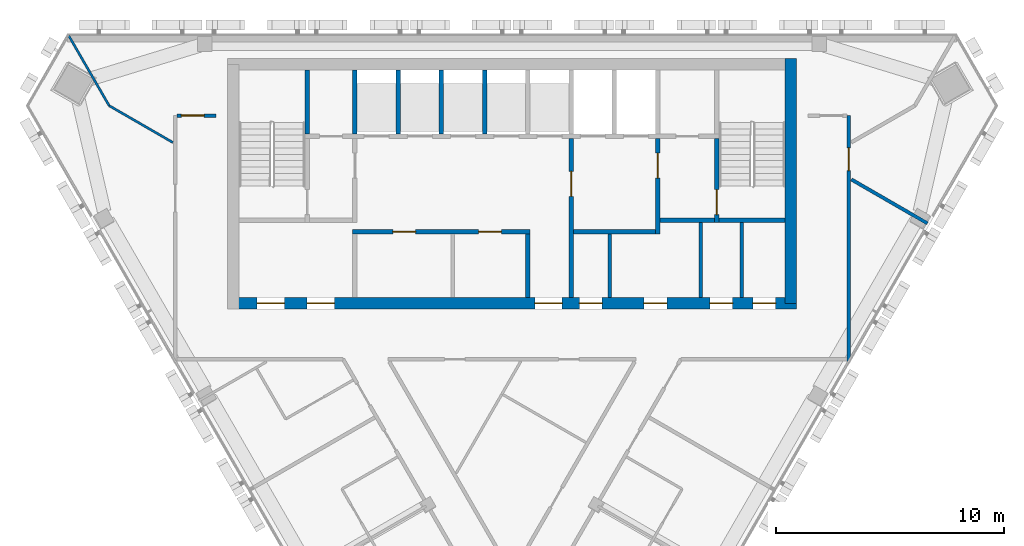
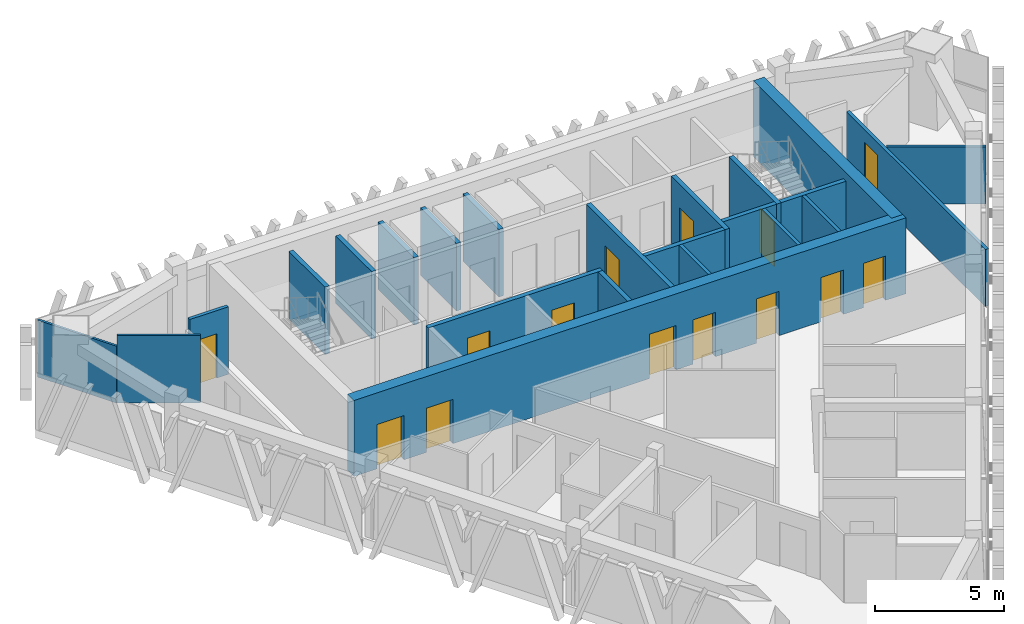
# One storey, part 7 of 12: 23 walls, 14 doors, 14 openings.
"""IFC4 building model written with IfcOpenShell, lengths in metres."""

from ifc_helpers import new_model, si_unit, direction, frame, frame_2d, origin, place, context, subcontext, project, spatial, rectangle, extrude, material, layer, layer_set, type_object, element, fill, save


model = new_model("IFC4")

# Units and contexts
model_context = context("Model", 3, precision=1e-05, world=origin(), true_north=direction((0.0, 1.0)))
body_context = subcontext(model_context, "Body", "Model", "MODEL_VIEW")
ifc_project = project(units=[si_unit("LENGTHUNIT", "METRE"), si_unit("AREAUNIT", "SQUARE_METRE"), si_unit("VOLUMEUNIT", "CUBIC_METRE"), si_unit("PLANEANGLEUNIT", "RADIAN"), si_unit("MASSUNIT", "GRAM", prefix="KILO")], contexts=[model_context])

# Site, building, storey
site_placement = place(None, origin())
site = spatial("IfcSite", under=ifc_project, at=site_placement, CompositionType="ELEMENT")
building_placement = place(site_placement, origin())
building = spatial("IfcBuilding", under=site, at=building_placement, Name="Altiplano Prism Tower", CompositionType="ELEMENT")
storey_placement = place(building_placement, frame((0.0, 0.0, 323.800048828125)))
storey = spatial("IfcBuildingStorey", under=building, at=storey_placement, Name="L84", CompositionType="ELEMENT", Elevation=323.800048828125)

# Wall, openings, doors
ifc_material_1 = material(Name="Concrete C60/75", Category="concrete")
ifc_layer_1 = layer(ifc_material_1, 0.5)
ifc_layer_set_1 = layer_set([ifc_layer_1], Name="Concrete C60/75")
wall_type_1 = type_object("IfcWallType", Name="Core wall 500", PredefinedType="SHEAR", material=ifc_layer_set_1)
wall_1_placement = place(storey_placement, frame((72.75, 93.14990234375, 0.0), z_axis=(0.0, 0.0, 1.0), x_axis=(1.0, 0.0, 0.0)))
wall_1 = element("IfcWall", 1, at=wall_1_placement, inside=storey, type_object=wall_type_1, Name="Core wall S L84", PredefinedType="SHEAR", context=body_context, shape_type="SweptSolid", body=[
    extrude(rectangle(XDim=24.75, YDim=0.5, at=frame_2d((12.375, 0.0))), origin(), (0.0, 0.0, 1.0), 3.599853515625),
])
opening_1_placement = place(wall_1_placement, frame((1.050048828125, 0.0, 0.0)))
opening_1 = element("IfcOpeningElement", 2, at=opening_1_placement, cuts=wall_1, Name="Opening D3773", PredefinedType="OPENING", context=body_context, shape_type="SweptSolid", body=[
    extrude(rectangle(XDim=1.199951171875, YDim=2.10009765625, at=frame_2d((0.60009765625, 1.050048828125))), frame((0.0, 0.260498046875, 0.0), z_axis=(0.0, -1.0, 0.0), x_axis=(1.0, 0.0, 0.0)), (0.0, 0.0, 1.0), 0.52099609375),
])
opening_2_placement = place(wall_1_placement, frame((3.25, 0.0, 0.0)))
opening_2 = element("IfcOpeningElement", 3, at=opening_2_placement, cuts=wall_1, Name="Opening D3774", PredefinedType="OPENING", context=body_context, shape_type="SweptSolid", body=[
    extrude(rectangle(XDim=1.199951171875, YDim=2.10009765625, at=frame_2d((0.60009765625, 1.050048828125))), frame((0.0, 0.260498046875, 0.0), z_axis=(0.0, -1.0, 0.0), x_axis=(1.0, 0.0, 0.0)), (0.0, 0.0, 1.0), 0.52099609375),
])
opening_3_placement = place(wall_1_placement, frame((13.25, 0.0, 0.0)))
opening_3 = element("IfcOpeningElement", 4, at=opening_3_placement, cuts=wall_1, Name="Opening D3775", PredefinedType="OPENING", context=body_context, shape_type="SweptSolid", body=[
    extrude(rectangle(XDim=1.199951171875, YDim=2.10009765625, at=frame_2d((0.60009765625, 1.050048828125))), frame((0.0, 0.260498046875, 0.0), z_axis=(0.0, -1.0, 0.0), x_axis=(1.0, 0.0, 0.0)), (0.0, 0.0, 1.0), 0.52099609375),
])
opening_4_placement = place(wall_1_placement, frame((15.21240234375, 0.0, 0.0)))
opening_4 = element("IfcOpeningElement", 5, at=opening_4_placement, cuts=wall_1, Name="Opening D3778", PredefinedType="OPENING", context=body_context, shape_type="SweptSolid", body=[
    extrude(rectangle(XDim=1.0, YDim=2.10009765625, at=frame_2d((0.5, 1.050048828125))), frame((0.0, 0.260498046875, 0.0), z_axis=(0.0, -1.0, 0.0), x_axis=(1.0, 0.0, 0.0)), (0.0, 0.0, 1.0), 0.52099609375),
])
opening_5_placement = place(wall_1_placement, frame((18.050048828125, 0.0, 0.0)))
opening_5 = element("IfcOpeningElement", 6, at=opening_5_placement, cuts=wall_1, Name="Opening D3779", PredefinedType="OPENING", context=body_context, shape_type="SweptSolid", body=[
    extrude(rectangle(XDim=1.0, YDim=2.10009765625, at=frame_2d((0.5, 1.050048828125))), frame((0.0, 0.260498046875, 0.0), z_axis=(0.0, -1.0, 0.0), x_axis=(1.0, 0.0, 0.0)), (0.0, 0.0, 1.0), 0.52099609375),
])
opening_6_placement = place(wall_1_placement, frame((20.949951171875, 0.0, 0.0)))
opening_6 = element("IfcOpeningElement", 7, at=opening_6_placement, cuts=wall_1, Name="Opening D3780", PredefinedType="OPENING", context=body_context, shape_type="SweptSolid", body=[
    extrude(rectangle(XDim=1.0, YDim=2.10009765625, at=frame_2d((0.5, 1.050048828125))), frame((0.0, 0.260498046875, 0.0), z_axis=(0.0, -1.0, 0.0), x_axis=(1.0, 0.0, 0.0)), (0.0, 0.0, 1.0), 0.52099609375),
])
opening_7_placement = place(wall_1_placement, frame((22.83740234375, 0.0, 0.0)))
opening_7 = element("IfcOpeningElement", 8, at=opening_7_placement, cuts=wall_1, Name="Opening D3781", PredefinedType="OPENING", context=body_context, shape_type="SweptSolid", body=[
    extrude(rectangle(XDim=1.0, YDim=2.10009765625, at=frame_2d((0.5, 1.050048828125))), frame((0.0, 0.260498046875, 0.0), z_axis=(0.0, -1.0, 0.0), x_axis=(1.0, 0.0, 0.0)), (0.0, 0.0, 1.0), 0.52099609375),
])
ifc_material_2 = material(Name="Fire-rated steel door", Category="steel")
door_type_1 = type_object("IfcDoorType", Name="Core room door 1000 x 2100", OperationType="NOTDEFINED", PredefinedType="NOTDEFINED", material=ifc_material_2)
door_1_placement = place(opening_4_placement, origin())
door_1 = element("IfcDoor", 9, at=door_1_placement, inside=storey, type_object=door_type_1, Name="Core room door D3778", OperationType="SINGLE_SWING_RIGHT", OverallHeight=2.10009765625, OverallWidth=1.0, PredefinedType="NOTDEFINED", context=body_context, shape_type="SweptSolid", body=[
    extrude(rectangle(XDim=1.0, YDim=2.10009765625, at=frame_2d((0.5, 1.050048828125))), frame((0.0, 0.02490234375, 0.0), z_axis=(0.0, -1.0, 0.0), x_axis=(1.0, 0.0, 0.0)), (0.0, 0.0, 1.0), 0.050048828125),
])
fill(opening_4, door_1)
door_2_placement = place(opening_5_placement, origin())
door_2 = element("IfcDoor", 10, at=door_2_placement, inside=storey, type_object=door_type_1, Name="Core room door D3779", OperationType="SINGLE_SWING_LEFT", OverallHeight=2.10009765625, OverallWidth=1.0, PredefinedType="NOTDEFINED", context=body_context, shape_type="SweptSolid", body=[
    extrude(rectangle(XDim=1.0, YDim=2.10009765625, at=frame_2d((0.5, 1.050048828125))), frame((0.0, 0.02490234375, 0.0), z_axis=(0.0, -1.0, 0.0), x_axis=(1.0, 0.0, 0.0)), (0.0, 0.0, 1.0), 0.050048828125),
])
fill(opening_5, door_2)
door_3_placement = place(opening_6_placement, origin())
door_3 = element("IfcDoor", 11, at=door_3_placement, inside=storey, type_object=door_type_1, Name="Core room door D3780", OperationType="SINGLE_SWING_RIGHT", OverallHeight=2.10009765625, OverallWidth=1.0, PredefinedType="NOTDEFINED", context=body_context, shape_type="SweptSolid", body=[
    extrude(rectangle(XDim=1.0, YDim=2.10009765625, at=frame_2d((0.5, 1.050048828125))), frame((0.0, 0.02490234375, 0.0), z_axis=(0.0, -1.0, 0.0), x_axis=(1.0, 0.0, 0.0)), (0.0, 0.0, 1.0), 0.050048828125),
])
fill(opening_6, door_3)
door_4_placement = place(opening_7_placement, origin())
door_4 = element("IfcDoor", 12, at=door_4_placement, inside=storey, type_object=door_type_1, Name="Core room door D3781", OperationType="SINGLE_SWING_LEFT", OverallHeight=2.10009765625, OverallWidth=1.0, PredefinedType="NOTDEFINED", context=body_context, shape_type="SweptSolid", body=[
    extrude(rectangle(XDim=1.0, YDim=2.10009765625, at=frame_2d((0.5, 1.050048828125))), frame((0.0, 0.02490234375, 0.0), z_axis=(0.0, -1.0, 0.0), x_axis=(1.0, 0.0, 0.0)), (0.0, 0.0, 1.0), 0.050048828125),
])
fill(opening_7, door_4)
door_type_2 = type_object("IfcDoorType", Name="Lobby fire door 1200 x 2100", OperationType="NOTDEFINED", PredefinedType="NOTDEFINED", material=ifc_material_2)
door_5_placement = place(opening_1_placement, origin())
door_5 = element("IfcDoor", 13, at=door_5_placement, inside=storey, type_object=door_type_2, Name="Lobby fire door D3773", OperationType="SINGLE_SWING_RIGHT", OverallHeight=2.10009765625, OverallWidth=1.199951171875, PredefinedType="NOTDEFINED", context=body_context, shape_type="SweptSolid", body=[
    extrude(rectangle(XDim=1.199951171875, YDim=2.10009765625, at=frame_2d((0.60009765625, 1.050048828125))), frame((0.0, 0.02490234375, 0.0), z_axis=(0.0, -1.0, 0.0), x_axis=(1.0, 0.0, 0.0)), (0.0, 0.0, 1.0), 0.050048828125),
])
fill(opening_1, door_5)
door_6_placement = place(opening_2_placement, origin())
door_6 = element("IfcDoor", 14, at=door_6_placement, inside=storey, type_object=door_type_2, Name="Lobby fire door D3774", OperationType="SINGLE_SWING_LEFT", OverallHeight=2.10009765625, OverallWidth=1.199951171875, PredefinedType="NOTDEFINED", context=body_context, shape_type="SweptSolid", body=[
    extrude(rectangle(XDim=1.199951171875, YDim=2.10009765625, at=frame_2d((0.60009765625, 1.050048828125))), frame((0.0, 0.02490234375, 0.0), z_axis=(0.0, -1.0, 0.0), x_axis=(1.0, 0.0, 0.0)), (0.0, 0.0, 1.0), 0.050048828125),
])
fill(opening_2, door_6)
door_7_placement = place(opening_3_placement, origin())
door_7 = element("IfcDoor", 15, at=door_7_placement, inside=storey, type_object=door_type_2, Name="Lobby fire door D3775", OperationType="SINGLE_SWING_RIGHT", OverallHeight=2.10009765625, OverallWidth=1.199951171875, PredefinedType="NOTDEFINED", context=body_context, shape_type="SweptSolid", body=[
    extrude(rectangle(XDim=1.199951171875, YDim=2.10009765625, at=frame_2d((0.60009765625, 1.050048828125))), frame((0.0, 0.02490234375, 0.0), z_axis=(0.0, -1.0, 0.0), x_axis=(1.0, 0.0, 0.0)), (0.0, 0.0, 1.0), 0.050048828125),
])
fill(opening_3, door_7)

# Walls
wall_2_placement = place(storey_placement, frame((97.25, 93.14990234375, 0.0), z_axis=(0.0, 0.0, 1.0), x_axis=(0.0, 1.0, 0.0)))
element("IfcWall", 16, at=wall_2_placement, inside=storey, type_object=wall_type_1, Name="Core wall E L84", PredefinedType="SHEAR", context=body_context, shape_type="SweptSolid", body=[
    extrude(rectangle(XDim=10.75, YDim=0.5, at=frame_2d((5.375, 0.0))), origin(), (0.0, 0.0, 1.0), 3.599853515625),
])
ifc_material_3 = material(Name="Plasterboard on steel stud", Category="steel")
ifc_layer_2 = layer(ifc_material_3, 0.10009765625)
ifc_layer_set_2 = layer_set([ifc_layer_2], Name="Plasterboard on steel stud")
wall_type_2 = type_object("IfcWallType", Name="Partition 100 wet", PredefinedType="PARTITIONING", material=ifc_layer_set_2)
wall_3_placement = place(storey_placement, frame((70.099609375, 100.2177734375, 0.0), z_axis=(0.0, 0.0, 1.0), x_axis=(-0.866033540873, 0.499985905884, 0.0)))
element("IfcWall", 17, at=wall_3_placement, inside=storey, type_object=wall_type_2, Name="Partition P03 L84 016", PredefinedType="PARTITIONING", context=body_context, shape_type="SweptSolid", body=[
    extrude(rectangle(XDim=3.2353515625, YDim=0.10009765625, at=frame_2d((1.61767578125, 0.0))), origin(), (0.0, 0.0, 1.0), 3.199951171875),
])
wall_4_placement = place(storey_placement, frame((67.297607421875, 101.83544921875, 0.0), z_axis=(0.0, 0.0, 1.0), x_axis=(-0.500005144645, 0.866022433502, 0.0)))
element("IfcWall", 18, at=wall_4_placement, inside=storey, type_object=wall_type_2, Name="Partition P03 L84 017", PredefinedType="PARTITIONING", context=body_context, shape_type="SweptSolid", body=[
    extrude(rectangle(XDim=3.53857421875, YDim=0.10009765625, at=frame_2d((1.769287109375, 0.0))), origin(), (0.0, 0.0, 1.0), 2.699951171875),
])

# Wall, opening, door
ifc_layer_3 = layer(ifc_material_3, 0.14990234375)
ifc_layer_set_3 = layer_set([ifc_layer_3], Name="Plasterboard on steel stud")
wall_type_3 = type_object("IfcWallType", Name="Partition 150 corridor", PredefinedType="PARTITIONING", material=ifc_layer_set_3)
wall_5_placement = place(storey_placement, frame((99.800048828125, 90.59912109375, 0.0), z_axis=(0.0, 0.0, 1.0), x_axis=(4.5203869e-05, 0.999999998978, 0.0)))
wall_5 = element("IfcWall", 19, at=wall_5_placement, inside=storey, type_object=wall_type_3, Name="Partition P06 L84 009", PredefinedType="PARTITIONING", context=body_context, shape_type="SweptSolid", body=[
    extrude(rectangle(XDim=10.8017578125, YDim=0.14990234375, at=frame_2d((5.40087890625, 0.0))), origin(), (0.0, 0.0, 1.0), 2.699951171875),
])
opening_8_placement = place(wall_5_placement, frame((8.376953125, 0.0, 0.0)))
opening_8 = element("IfcOpeningElement", 20, at=opening_8_placement, cuts=wall_5, Name="Opening D2458", PredefinedType="OPENING", context=body_context, shape_type="SweptSolid", body=[
    extrude(rectangle(XDim=1.0, YDim=2.10009765625, at=frame_2d((0.5, 1.050048828125))), frame((0.0, 0.08544921875, 0.0), z_axis=(0.0, -1.0, 0.0), x_axis=(1.0, 0.0, 0.0)), (0.0, 0.0, 1.0), 0.1708984375),
])
ifc_material_4 = material(Name="Timber", Category="wood")
door_type_3 = type_object("IfcDoorType", Name="Room door 1000 x 2100", OperationType="NOTDEFINED", PredefinedType="NOTDEFINED", material=ifc_material_4)
door_8_placement = place(opening_8_placement, origin())
door_8 = element("IfcDoor", 21, at=door_8_placement, inside=storey, type_object=door_type_3, Name="Door D2458", OperationType="SINGLE_SWING_RIGHT", OverallHeight=2.10009765625, OverallWidth=1.0, PredefinedType="NOTDEFINED", context=body_context, shape_type="SweptSolid", body=[
    extrude(rectangle(XDim=1.0, YDim=2.10009765625, at=frame_2d((0.5, 1.050048828125))), frame((0.0, 0.02490234375, 0.0), z_axis=(0.0, -1.0, 0.0), x_axis=(1.0, 0.0, 0.0)), (0.0, 0.0, 1.0), 0.050048828125),
])
fill(opening_8, door_8)

wall_6_placement = place(storey_placement, frame((72.0, 101.40087890625, 0.0), z_axis=(0.0, 0.0, 1.0), x_axis=(-1.0, 0.0, 0.0)))
wall_6 = element("IfcWall", 22, at=wall_6_placement, inside=storey, type_object=wall_type_3, Name="Partition P06 L84 011", PredefinedType="PARTITIONING", context=body_context, shape_type="SweptSolid", body=[
    extrude(rectangle(XDim=1.7255859375, YDim=0.14990234375, at=frame_2d((0.86279296875, 0.0))), origin(), (0.0, 0.0, 1.0), 3.199951171875),
])
opening_9_placement = place(wall_6_placement, frame((0.52587890625, 0.0, 0.0)))
opening_9 = element("IfcOpeningElement", 23, at=opening_9_placement, cuts=wall_6, Name="Opening D2460", PredefinedType="OPENING", context=body_context, shape_type="SweptSolid", body=[
    extrude(rectangle(XDim=1.0, YDim=2.10009765625, at=frame_2d((0.5, 1.050048828125))), frame((0.0, 0.08544921875, 0.0), z_axis=(0.0, -1.0, 0.0), x_axis=(1.0, 0.0, 0.0)), (0.0, 0.0, 1.0), 0.1708984375),
])
door_9_placement = place(opening_9_placement, origin())
door_9 = element("IfcDoor", 24, at=door_9_placement, inside=storey, type_object=door_type_3, Name="Door D2460", OperationType="SINGLE_SWING_RIGHT", OverallHeight=2.10009765625, OverallWidth=1.0, PredefinedType="NOTDEFINED", context=body_context, shape_type="SweptSolid", body=[
    extrude(rectangle(XDim=1.0, YDim=2.10009765625, at=frame_2d((0.5, 1.050048828125))), frame((0.0, 0.02490234375, 0.0), z_axis=(0.0, -1.0, 0.0), x_axis=(1.0, 0.0, 0.0)), (0.0, 0.0, 1.0), 0.050048828125),
])
fill(opening_9, door_9)

# Walls
ifc_layer_4 = layer(ifc_material_3, 0.14990234375)
ifc_layer_set_4 = layer_set([ifc_layer_4], Name="Plasterboard on steel stud")
wall_type_4 = type_object("IfcWallType", Name="Partition 150 party", PredefinedType="PARTITIONING", material=ifc_layer_set_4)
wall_7_placement = place(storey_placement, frame((103.255126953125, 96.663818359375, 0.0), z_axis=(0.0, 0.0, 1.0), x_axis=(-0.866023354436, 0.500003549559, 0.0)))
element("IfcWall", 25, at=wall_7_placement, inside=storey, type_object=wall_type_4, Name="Partition P01 L84 039", PredefinedType="PARTITIONING", context=body_context, shape_type="SweptSolid", body=[
    extrude(rectangle(XDim=3.859375, YDim=0.14990234375, at=frame_2d((1.9296875, 0.0))), origin(), (0.0, 0.0, 1.0), 2.699951171875),
])
ifc_material_5 = material(Name="Fire-rated gypsum board partition")
ifc_layer_5 = layer(ifc_material_5, 0.14990234375)
ifc_layer_set_5 = layer_set([ifc_layer_5], Name="Fire-rated gypsum board partition")
wall_type_5 = type_object("IfcWallType", Name="Room partition 150", PredefinedType="PARTITIONING", material=ifc_layer_set_5)
wall_8_placement = place(storey_placement, frame((89.300048828125, 93.39990234375, 0.0), z_axis=(0.0, 0.0, 1.0), x_axis=(0.0, 1.0, 0.0)))
element("IfcWall", 26, at=wall_8_placement, inside=storey, type_object=wall_type_5, Name="Room partition L84", PredefinedType="PARTITIONING", context=body_context, shape_type="SweptSolid", body=[
    extrude(rectangle(XDim=2.800048828125, YDim=0.14990234375, at=frame_2d((1.39990234375, 0.0))), origin(), (0.0, 0.0, 1.0), 3.199951171875),
])
for number, where, z_axis, x_axis, name in (
    (27, (93.300048828125, 93.39990234375, 0.0), (0.0, 0.0, 1.0), (0.0, 1.0, 0.0), "Room partition L84"),
    (28, (95.10009765625, 93.39990234375, 0.0), (0.0, 0.0, 1.0), (0.0, 1.0, 0.0), "Room partition L84"),
):
    element("IfcWall", number, at=place(storey_placement, frame(where, z_axis=z_axis, x_axis=x_axis)), inside=storey, type_object=wall_type_5, Name=name, PredefinedType="PARTITIONING", context=body_context, shape_type="SweptSolid", body=[
        extrude(rectangle(XDim=3.300048828125, YDim=0.14990234375, at=frame_2d((1.64990234375, 0.0))), origin(), (0.0, 0.0, 1.0), 3.199951171875),
    ])
ifc_layer_6 = layer(ifc_material_1, 0.199951171875)
ifc_layer_set_6 = layer_set([ifc_layer_6], Name="Concrete C60/75")
wall_type_6 = type_object("IfcWallType", Name="Shaft wall 200", PredefinedType="SOLIDWALL", material=ifc_layer_set_6)
for number, where, z_axis, x_axis, name in (
    (29, (78.10009765625, 100.60009765625, 0.0), (0.0, 0.0, 1.0), (0.0, 1.0, 0.0), "Shaft wall L84"),
    (30, (80.0, 100.60009765625, 0.0), (0.0, 0.0, 1.0), (0.0, 1.0, 0.0), "Shaft wall L84"),
    (31, (81.89990234375, 100.60009765625, 0.0), (0.0, 0.0, 1.0), (0.0, 1.0, 0.0), "Shaft wall L84"),
    (32, (83.800048828125, 100.60009765625, 0.0), (0.0, 0.0, 1.0), (0.0, 1.0, 0.0), "Shaft wall L84"),
):
    element("IfcWall", number, at=place(storey_placement, frame(where, z_axis=z_axis, x_axis=x_axis)), inside=storey, type_object=wall_type_6, Name=name, PredefinedType="SOLIDWALL", context=body_context, shape_type="SweptSolid", body=[
        extrude(rectangle(XDim=2.7998046875, YDim=0.199951171875, at=frame_2d((1.39990234375, 0.0))), origin(), (0.0, 0.0, 1.0), 3.199951171875),
    ])

# Wall, opening, door
ifc_layer_7 = layer(ifc_material_1, 0.199951171875)
ifc_layer_set_7 = layer_set([ifc_layer_7], Name="Concrete C60/75")
wall_type_7 = type_object("IfcWallType", Name="Stair wall 200", PredefinedType="SOLIDWALL", material=ifc_layer_set_7)
wall_9_placement = place(storey_placement, frame((94.0, 96.699951171875, 0.0), z_axis=(0.0, 0.0, 1.0), x_axis=(0.0, 1.0, 0.0)))
wall_9 = element("IfcWall", 33, at=wall_9_placement, inside=storey, type_object=wall_type_7, Name="Stair wall L84", PredefinedType="SOLIDWALL", context=body_context, shape_type="SweptSolid", body=[
    extrude(rectangle(XDim=3.699951171875, YDim=0.199951171875, at=frame_2d((1.85009765625, 0.0))), origin(), (0.0, 0.0, 1.0), 3.199951171875),
])
opening_10_placement = place(wall_9_placement, frame((0.35009765625, 0.0, 0.0)))
opening_10 = element("IfcOpeningElement", 34, at=opening_10_placement, cuts=wall_9, Name="Opening D3769", PredefinedType="OPENING", context=body_context, shape_type="SweptSolid", body=[
    extrude(rectangle(XDim=1.10009765625, YDim=2.10009765625, at=frame_2d((0.550048828125, 1.050048828125))), frame((0.0, 0.1103515625, 0.0), z_axis=(0.0, -1.0, 0.0), x_axis=(1.0, 0.0, 0.0)), (0.0, 0.0, 1.0), 0.220947265625),
])
door_type_4 = type_object("IfcDoorType", Name="Stair fire door 1100 x 2100", OperationType="NOTDEFINED", PredefinedType="NOTDEFINED", material=ifc_material_2)
door_10_placement = place(opening_10_placement, origin())
door_10 = element("IfcDoor", 35, at=door_10_placement, inside=storey, type_object=door_type_4, Name="Stair fire door D3769", OperationType="SINGLE_SWING_LEFT", OverallHeight=2.10009765625, OverallWidth=1.10009765625, PredefinedType="NOTDEFINED", context=body_context, shape_type="SweptSolid", body=[
    extrude(rectangle(XDim=1.10009765625, YDim=2.10009765625, at=frame_2d((0.550048828125, 1.050048828125))), frame((0.0, 0.02490234375, 0.0), z_axis=(0.0, -1.0, 0.0), x_axis=(1.0, 0.0, 0.0)), (0.0, 0.0, 1.0), 0.050048828125),
])
fill(opening_10, door_10)

# Walls
wall_10_placement = place(storey_placement, frame((94.10009765625, 96.800048828125, 0.0), z_axis=(0.0, 0.0, 1.0), x_axis=(1.0, 0.0, 0.0)))
element("IfcWall", 36, at=wall_10_placement, inside=storey, type_object=wall_type_7, Name="Stair wall L84", PredefinedType="SOLIDWALL", context=body_context, shape_type="SweptSolid", body=[
    extrude(rectangle(XDim=2.89990234375, YDim=0.199951171875, at=frame_2d((1.449951171875, 0.0))), origin(), (0.0, 0.0, 1.0), 3.199951171875),
])
wall_11_placement = place(storey_placement, frame((76.0, 100.60009765625, 0.0), z_axis=(0.0, 0.0, 1.0), x_axis=(0.0, 1.0, 0.0)))
element("IfcWall", 37, at=wall_11_placement, inside=storey, type_object=wall_type_7, Name="Stair wall L84", PredefinedType="SOLIDWALL", context=body_context, shape_type="SweptSolid", body=[
    extrude(rectangle(XDim=2.7998046875, YDim=0.199951171875, at=frame_2d((1.39990234375, 0.0))), origin(), (0.0, 0.0, 1.0), 3.199951171875),
])
ifc_layer_8 = layer(ifc_material_1, 0.199951171875)
ifc_layer_set_8 = layer_set([ifc_layer_8], Name="Concrete C60/75")
wall_type_8 = type_object("IfcWallType", Name="Vestibule wall 200", PredefinedType="PARTITIONING", material=ifc_layer_set_8)
wall_12_placement = place(storey_placement, frame((85.699951171875, 93.39990234375, 0.0), z_axis=(0.0, 0.0, 1.0), x_axis=(0.0, 1.0, 0.0)))
element("IfcWall", 38, at=wall_12_placement, inside=storey, type_object=wall_type_8, Name="Vestibule wall L84", PredefinedType="PARTITIONING", context=body_context, shape_type="SweptSolid", body=[
    extrude(rectangle(XDim=2.800048828125, YDim=0.199951171875, at=frame_2d((1.39990234375, 0.0))), origin(), (0.0, 0.0, 1.0), 3.199951171875),
])

# Wall, opening, door
wall_13_placement = place(storey_placement, frame((87.60009765625, 93.39990234375, 0.0), z_axis=(0.0, 0.0, 1.0), x_axis=(0.0, 1.0, 0.0)))
wall_13 = element("IfcWall", 39, at=wall_13_placement, inside=storey, type_object=wall_type_8, Name="Vestibule wall L84", PredefinedType="PARTITIONING", context=body_context, shape_type="SweptSolid", body=[
    extrude(rectangle(XDim=7.0, YDim=0.199951171875, at=frame_2d((3.5, 0.0))), origin(), (0.0, 0.0, 1.0), 3.199951171875),
])
opening_11_placement = place(wall_13_placement, frame((4.449951171875, 0.0, 0.0)))
opening_11 = element("IfcOpeningElement", 40, at=opening_11_placement, cuts=wall_13, Name="Opening D3771", PredefinedType="OPENING", context=body_context, shape_type="SweptSolid", body=[
    extrude(rectangle(XDim=1.10009765625, YDim=2.10009765625, at=frame_2d((0.550048828125, 1.050048828125))), frame((0.0, 0.1103515625, 0.0), z_axis=(0.0, -1.0, 0.0), x_axis=(1.0, 0.0, 0.0)), (0.0, 0.0, 1.0), 0.220947265625),
])
door_type_5 = type_object("IfcDoorType", Name="Vestibule fire door 1100 x 2100", OperationType="NOTDEFINED", PredefinedType="NOTDEFINED", material=ifc_material_2)
door_11_placement = place(opening_11_placement, origin())
door_11 = element("IfcDoor", 41, at=door_11_placement, inside=storey, type_object=door_type_5, Name="Vestibule fire door D3771", OperationType="SINGLE_SWING_RIGHT", OverallHeight=2.10009765625, OverallWidth=1.10009765625, PredefinedType="NOTDEFINED", context=body_context, shape_type="SweptSolid", body=[
    extrude(rectangle(XDim=1.10009765625, YDim=2.10009765625, at=frame_2d((0.550048828125, 1.050048828125))), frame((0.0, 0.02490234375, 0.0), z_axis=(0.0, -1.0, 0.0), x_axis=(1.0, 0.0, 0.0)), (0.0, 0.0, 1.0), 0.050048828125),
])
fill(opening_11, door_11)

# Wall, openings, doors
wall_14_placement = place(storey_placement, frame((78.0, 96.300048828125, 0.0), z_axis=(0.0, 0.0, 1.0), x_axis=(1.0, 0.0, 0.0)))
wall_14 = element("IfcWall", 42, at=wall_14_placement, inside=storey, type_object=wall_type_8, Name="Vestibule wall L84", PredefinedType="PARTITIONING", context=body_context, shape_type="SweptSolid", body=[
    extrude(rectangle(XDim=7.800048828125, YDim=0.199951171875, at=frame_2d((3.89990234375, 0.0))), origin(), (0.0, 0.0, 1.0), 3.199951171875),
])
opening_12_placement = place(wall_14_placement, frame((1.762451171875, 0.0, 0.0)))
opening_12 = element("IfcOpeningElement", 43, at=opening_12_placement, cuts=wall_14, Name="Opening D3782", PredefinedType="OPENING", context=body_context, shape_type="SweptSolid", body=[
    extrude(rectangle(XDim=1.0, YDim=2.10009765625, at=frame_2d((0.5, 1.050048828125))), frame((0.0, 0.1103515625, 0.0), z_axis=(0.0, -1.0, 0.0), x_axis=(1.0, 0.0, 0.0)), (0.0, 0.0, 1.0), 0.220947265625),
])
opening_13_placement = place(wall_14_placement, frame((5.53759765625, 0.0, 0.0)))
opening_13 = element("IfcOpeningElement", 44, at=opening_13_placement, cuts=wall_14, Name="Opening D3783", PredefinedType="OPENING", context=body_context, shape_type="SweptSolid", body=[
    extrude(rectangle(XDim=1.0, YDim=2.10009765625, at=frame_2d((0.5, 1.050048828125))), frame((0.0, 0.1103515625, 0.0), z_axis=(0.0, -1.0, 0.0), x_axis=(1.0, 0.0, 0.0)), (0.0, 0.0, 1.0), 0.220947265625),
])
door_12_placement = place(opening_12_placement, origin())
door_12 = element("IfcDoor", 45, at=door_12_placement, inside=storey, type_object=door_type_1, Name="Core room door D3782", OperationType="SINGLE_SWING_RIGHT", OverallHeight=2.10009765625, OverallWidth=1.0, PredefinedType="NOTDEFINED", context=body_context, shape_type="SweptSolid", body=[
    extrude(rectangle(XDim=1.0, YDim=2.10009765625, at=frame_2d((0.5, 1.050048828125))), frame((0.0, 0.02490234375, 0.0), z_axis=(0.0, -1.0, 0.0), x_axis=(1.0, 0.0, 0.0)), (0.0, 0.0, 1.0), 0.050048828125),
])
fill(opening_12, door_12)
door_13_placement = place(opening_13_placement, origin())
door_13 = element("IfcDoor", 46, at=door_13_placement, inside=storey, type_object=door_type_1, Name="Core room door D3783", OperationType="SINGLE_SWING_RIGHT", OverallHeight=2.10009765625, OverallWidth=1.0, PredefinedType="NOTDEFINED", context=body_context, shape_type="SweptSolid", body=[
    extrude(rectangle(XDim=1.0, YDim=2.10009765625, at=frame_2d((0.5, 1.050048828125))), frame((0.0, 0.02490234375, 0.0), z_axis=(0.0, -1.0, 0.0), x_axis=(1.0, 0.0, 0.0)), (0.0, 0.0, 1.0), 0.050048828125),
])
fill(opening_13, door_13)

# Wall
wall_15_placement = place(storey_placement, frame((87.699951171875, 96.300048828125, 0.0), z_axis=(0.0, 0.0, 1.0), x_axis=(1.0, 0.0, 0.0)))
element("IfcWall", 47, at=wall_15_placement, inside=storey, type_object=wall_type_8, Name="Vestibule wall L84", PredefinedType="PARTITIONING", context=body_context, shape_type="SweptSolid", body=[
    extrude(rectangle(XDim=3.60009765625, YDim=0.199951171875, at=frame_2d((1.800048828125, 0.0))), origin(), (0.0, 0.0, 1.0), 3.199951171875),
])

# Wall, opening, door
wall_16_placement = place(storey_placement, frame((91.39990234375, 96.199951171875, 0.0), z_axis=(0.0, 0.0, 1.0), x_axis=(0.0, 1.0, 0.0)))
wall_16 = element("IfcWall", 48, at=wall_16_placement, inside=storey, type_object=wall_type_8, Name="Vestibule wall L84", PredefinedType="PARTITIONING", context=body_context, shape_type="SweptSolid", body=[
    extrude(rectangle(XDim=4.199951171875, YDim=0.199951171875, at=frame_2d((2.10009765625, 0.0))), origin(), (0.0, 0.0, 1.0), 3.199951171875),
])
opening_14_placement = place(wall_16_placement, frame((2.449951171875, 0.0, 0.0)))
opening_14 = element("IfcOpeningElement", 49, at=opening_14_placement, cuts=wall_16, Name="Opening D3772", PredefinedType="OPENING", context=body_context, shape_type="SweptSolid", body=[
    extrude(rectangle(XDim=1.10009765625, YDim=2.10009765625, at=frame_2d((0.550048828125, 1.050048828125))), frame((0.0, 0.1103515625, 0.0), z_axis=(0.0, -1.0, 0.0), x_axis=(1.0, 0.0, 0.0)), (0.0, 0.0, 1.0), 0.220947265625),
])
door_14_placement = place(opening_14_placement, origin())
door_14 = element("IfcDoor", 50, at=door_14_placement, inside=storey, type_object=door_type_5, Name="Vestibule fire door D3772", OperationType="SINGLE_SWING_LEFT", OverallHeight=2.10009765625, OverallWidth=1.10009765625, PredefinedType="NOTDEFINED", context=body_context, shape_type="SweptSolid", body=[
    extrude(rectangle(XDim=1.10009765625, YDim=2.10009765625, at=frame_2d((0.550048828125, 1.050048828125))), frame((0.0, 0.02490234375, 0.0), z_axis=(0.0, -1.0, 0.0), x_axis=(1.0, 0.0, 0.0)), (0.0, 0.0, 1.0), 0.050048828125),
])
fill(opening_14, door_14)

# Wall
wall_17_placement = place(storey_placement, frame((91.5, 96.800048828125, 0.0), z_axis=(0.0, 0.0, 1.0), x_axis=(1.0, 0.0, 0.0)))
element("IfcWall", 51, at=wall_17_placement, inside=storey, type_object=wall_type_8, Name="Vestibule wall L84", PredefinedType="PARTITIONING", context=body_context, shape_type="SweptSolid", body=[
    extrude(rectangle(XDim=2.39990234375, YDim=0.199951171875, at=frame_2d((1.199951171875, 0.0))), origin(), (0.0, 0.0, 1.0), 3.199951171875),
])

save(model, "model.ifc")
